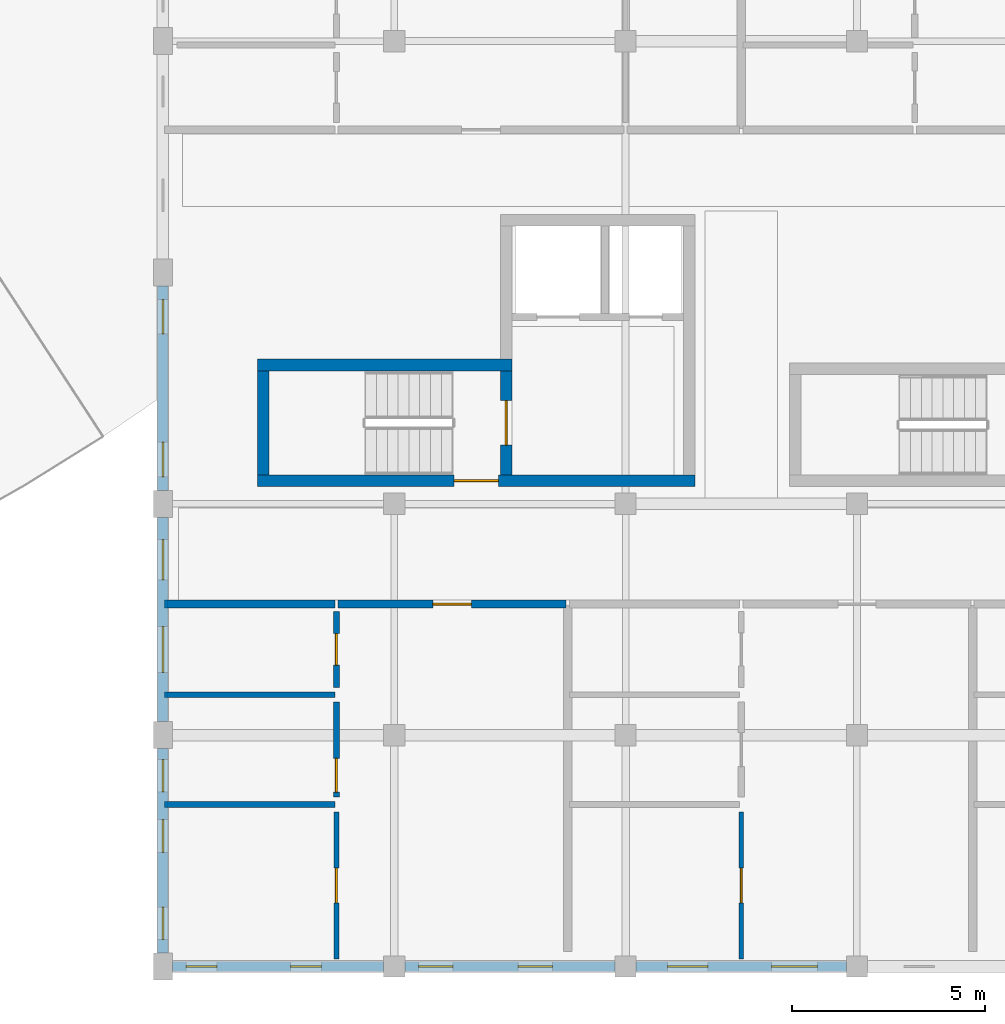
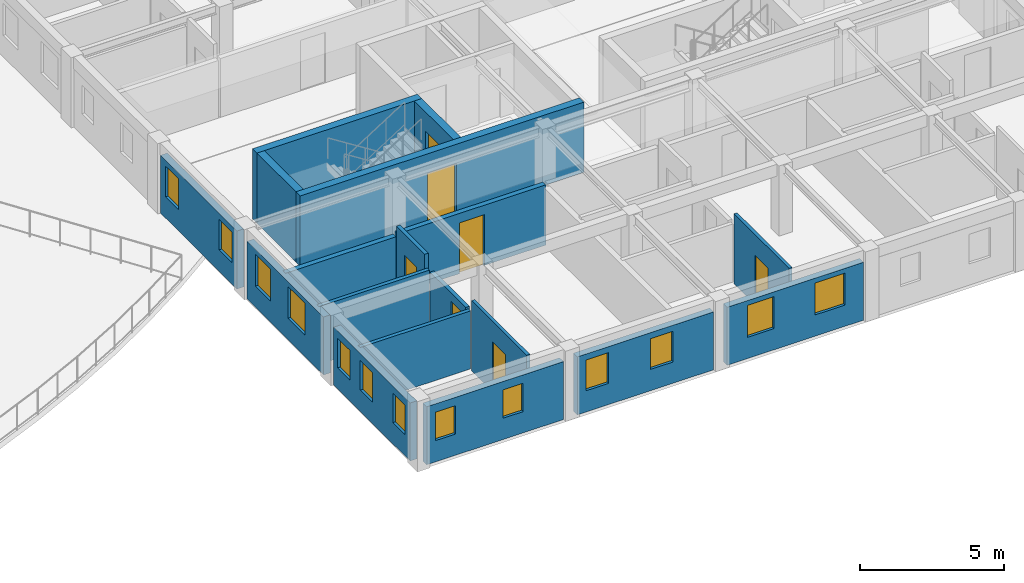
# One storey, part 30 of 58: 18 walls, 13 windows, 7 doors, 20 openings.
"""IFC4 building model written with IfcOpenShell, lengths in metres."""

from ifc_helpers import new_model, si_unit, direction, frame, frame_2d, origin, place, context, subcontext, project, spatial, rectangle, extrude, material, layer, layer_set, type_object, element, fill, save


model = new_model("IFC4")

# Units and contexts
model_context = context("Model", 3, precision=1e-05, world=origin(), true_north=direction((0.0, 1.0)))
body_context = subcontext(model_context, "Body", "Model", "MODEL_VIEW")
ifc_project = project(units=[si_unit("LENGTHUNIT", "METRE"), si_unit("AREAUNIT", "SQUARE_METRE"), si_unit("VOLUMEUNIT", "CUBIC_METRE"), si_unit("PLANEANGLEUNIT", "RADIAN"), si_unit("MASSUNIT", "GRAM", prefix="KILO"), si_unit("POWERUNIT", "WATT"), si_unit("THERMODYNAMICTEMPERATUREUNIT", "KELVIN")], contexts=[model_context])

# Site, building, storey
site_placement = place(None, origin())
site = spatial("IfcSite", under=ifc_project, at=site_placement, CompositionType="ELEMENT")
building_placement = place(site_placement, origin())
building = spatial("IfcBuilding", under=site, at=building_placement, Name="Ruvembo Vaulted Housing Court", CompositionType="ELEMENT")
storey_placement = place(building_placement, frame((0.0, 0.0, 20.5)))
storey = spatial("IfcBuildingStorey", under=building, at=storey_placement, Name="L06", CompositionType="ELEMENT", Elevation=20.5)

# Wall, opening, door
ifc_material_1 = material(Name="Concrete C35/45", Category="concrete")
ifc_layer_1 = layer(ifc_material_1, 0.300048828125, Name="Concrete C35/45")
ifc_layer_set_1 = layer_set([ifc_layer_1], Name="Concrete C35/45")
wall_type_1 = type_object("IfcWallType", Name="WL-CORE-300", PredefinedType="SHEAR", material=ifc_layer_set_1)
wall_1_placement = place(storey_placement, frame((104.449951171875, 12.60009765625, 0.0), z_axis=(0.0, 0.0, 1.0), x_axis=(1.0, 0.0, 0.0)))
wall_1 = element("IfcWall", 1, at=wall_1_placement, inside=storey, type_object=wall_type_1, Name="Core C1 L06 South Shear Wall", PredefinedType="SHEAR", context=body_context, shape_type="SweptSolid", body=[
    extrude(rectangle(XDim=11.35009765625, YDim=0.300048828125, at=frame_2d((5.675048828125, 0.0))), origin(), (0.0, 0.0, 1.0), 2.969970703125),
])
opening_1_placement = place(wall_1_placement, frame((5.10009765625, 0.0, 0.0)))
opening_1 = element("IfcOpeningElement", 2, at=opening_1_placement, cuts=wall_1, Name="Opening LD0", PredefinedType="OPENING", context=body_context, shape_type="SweptSolid", body=[
    extrude(rectangle(XDim=1.14990234375, YDim=2.14990234375, at=frame_2d((0.574951171875, 1.074951171875))), frame((0.0, 0.159912109375, 0.0), z_axis=(0.0, -1.0, 0.0), x_axis=(1.0, 0.0, 0.0)), (0.0, 0.0, 1.0), 0.320068359375),
])
ifc_material_2 = material(Name="Galvanised Painted Steel", Category="steel")
door_type_1 = type_object("IfcDoorType", Name="DR-LOB-1150x2150", OperationType="NOTDEFINED", PredefinedType="DOOR", material=ifc_material_2)
door_1_placement = place(opening_1_placement, origin())
door_1 = element("IfcDoor", 3, at=door_1_placement, inside=storey, type_object=door_type_1, Name="Core C1 L06 Lobby Fire Door", OperationType="SINGLE_SWING_RIGHT", OverallHeight=2.14990234375, OverallWidth=1.14990234375, PredefinedType="DOOR", context=body_context, shape_type="SweptSolid", body=[
    extrude(rectangle(XDim=1.14990234375, YDim=2.14990234375, at=frame_2d((0.574951171875, 1.074951171875))), frame((0.0, 0.02490234375, 0.0), z_axis=(0.0, -1.0, 0.0), x_axis=(1.0, 0.0, 0.0)), (0.0, 0.0, 1.0), 0.050048828125),
])
fill(opening_1, door_1)

# Walls
wall_2_placement = place(storey_placement, frame((111.050048828125, 15.60009765625, 0.0), z_axis=(0.0, 0.0, 1.0), x_axis=(-1.0, 0.0, 0.0)))
element("IfcWall", 4, at=wall_2_placement, inside=storey, type_object=wall_type_1, Name="Core C1 L06 Stair North Shear Wall", PredefinedType="SHEAR", context=body_context, shape_type="SweptSolid", body=[
    extrude(rectangle(XDim=6.60009765625, YDim=0.300048828125, at=frame_2d((3.300048828125, 0.0))), origin(), (0.0, 0.0, 1.0), 2.969970703125),
])
wall_3_placement = place(storey_placement, frame((104.60009765625, 15.449951171875, 0.0), z_axis=(0.0, 0.0, 1.0), x_axis=(0.0, -1.0, 0.0)))
element("IfcWall", 5, at=wall_3_placement, inside=storey, type_object=wall_type_1, Name="Core C1 L06 Stair West Shear Wall", PredefinedType="SHEAR", context=body_context, shape_type="SweptSolid", body=[
    extrude(rectangle(XDim=2.699951171875, YDim=0.300048828125, at=frame_2d((1.35009765625, 0.0))), origin(), (0.0, 0.0, 1.0), 2.969970703125),
])

# Wall, opening, door
wall_4_placement = place(storey_placement, frame((110.89990234375, 12.75, 0.0), z_axis=(0.0, 0.0, 1.0), x_axis=(0.0, 1.0, 0.0)))
wall_4 = element("IfcWall", 6, at=wall_4_placement, inside=storey, type_object=wall_type_1, Name="Core C1 L06 Stair-Lobby Shear Wall", PredefinedType="SHEAR", context=body_context, shape_type="SweptSolid", body=[
    extrude(rectangle(XDim=2.699951171875, YDim=0.300048828125, at=frame_2d((1.35009765625, 0.0))), origin(), (0.0, 0.0, 1.0), 2.969970703125),
])
opening_2_placement = place(wall_4_placement, frame((0.77490234375, 0.0, 0.0)))
opening_2 = element("IfcOpeningElement", 7, at=opening_2_placement, cuts=wall_4, Name="Opening SD1", PredefinedType="OPENING", context=body_context, shape_type="SweptSolid", body=[
    extrude(rectangle(XDim=1.14990234375, YDim=2.14990234375, at=frame_2d((0.574951171875, 1.074951171875))), frame((0.0, 0.159912109375, 0.0), z_axis=(0.0, -1.0, 0.0), x_axis=(1.0, 0.0, 0.0)), (0.0, 0.0, 1.0), 0.320068359375),
])
door_type_2 = type_object("IfcDoorType", Name="DR-STAIR-1150x2150", OperationType="NOTDEFINED", PredefinedType="DOOR", material=ifc_material_2)
door_2_placement = place(opening_2_placement, origin())
door_2 = element("IfcDoor", 8, at=door_2_placement, inside=storey, type_object=door_type_2, Name="Stair ST-C1 L06 Fire Door", OperationType="SINGLE_SWING_LEFT", OverallHeight=2.14990234375, OverallWidth=1.14990234375, PredefinedType="DOOR", context=body_context, shape_type="SweptSolid", body=[
    extrude(rectangle(XDim=1.14990234375, YDim=2.14990234375, at=frame_2d((0.574951171875, 1.074951171875))), frame((0.0, 0.02490234375, 0.0), z_axis=(0.0, -1.0, 0.0), x_axis=(1.0, 0.0, 0.0)), (0.0, 0.0, 1.0), 0.050048828125),
])
fill(opening_2, door_2)

# Wall
ifc_material_3 = material(Name="Concrete Blockwork 200", Category="masonry")
ifc_layer_2 = layer(ifc_material_3, 0.199951171875, Name="Concrete Blockwork 200")
ifc_layer_set_2 = layer_set([ifc_layer_2], Name="Concrete Blockwork 200")
wall_type_2 = type_object("IfcWallType", Name="WL-CORR-200", PredefinedType="SOLIDWALL", material=ifc_layer_set_2)
wall_5_placement = place(storey_placement, frame((102.0400390625, 9.39990234375, 0.0), z_axis=(0.0, 0.0, 1.0), x_axis=(1.0, 0.0, 0.0)))
element("IfcWall", 9, at=wall_5_placement, inside=storey, type_object=wall_type_2, Name="L06 Flat C-L06-S1 Corridor Wall WL-INT-L06-01779", PredefinedType="SOLIDWALL", context=body_context, shape_type="SweptSolid", body=[
    extrude(rectangle(XDim=4.419921875, YDim=0.199951171875, at=frame_2d((2.2099609375, 0.0))), origin(), (0.0, 0.0, 1.0), 2.451904296875),
])

# Wall, opening, door
wall_6_placement = place(storey_placement, frame((106.5400390625, 9.39990234375, 0.0), z_axis=(0.0, 0.0, 1.0), x_axis=(1.0, 0.0, 0.0)))
wall_6 = element("IfcWall", 10, at=wall_6_placement, inside=storey, type_object=wall_type_2, Name="L06 Flat C-L06-S1 Entrance WL-INT-L06-01780", PredefinedType="SOLIDWALL", context=body_context, shape_type="SweptSolid", body=[
    extrude(rectangle(XDim=5.919921875, YDim=0.199951171875, at=frame_2d((2.9599609375, 0.0))), origin(), (0.0, 0.0, 1.0), 2.548095703125),
])
opening_3_placement = place(wall_6_placement, frame((2.4599609375, 0.0, 0.0)))
opening_3 = element("IfcOpeningElement", 11, at=opening_3_placement, cuts=wall_6, Name="Opening FD1", PredefinedType="OPENING", context=body_context, shape_type="SweptSolid", body=[
    extrude(rectangle(XDim=1.0, YDim=2.14990234375, at=frame_2d((0.5, 1.074951171875))), frame((0.0, 0.10986328125, 0.0), z_axis=(0.0, -1.0, 0.0), x_axis=(1.0, 0.0, 0.0)), (0.0, 0.0, 1.0), 0.219970703125),
])
ifc_material_4 = material(Name="FSC Hardwood and Engineered Timber", Category="wood")
door_type_3 = type_object("IfcDoorType", Name="DR-FLAT-1000x2150", OperationType="NOTDEFINED", PredefinedType="DOOR", material=ifc_material_4)
door_3_placement = place(opening_3_placement, origin())
door_3 = element("IfcDoor", 12, at=door_3_placement, inside=storey, type_object=door_type_3, Name="L06 Flat C-L06-S1 Entrance Door DR-INT-L06-01005", OperationType="SINGLE_SWING_LEFT", OverallHeight=2.14990234375, OverallWidth=1.0, PredefinedType="DOOR", context=body_context, shape_type="SweptSolid", body=[
    extrude(rectangle(XDim=1.0, YDim=2.14990234375, at=frame_2d((0.5, 1.074951171875))), frame((0.0, 0.02490234375, 0.0), z_axis=(0.0, -1.0, 0.0), x_axis=(1.0, 0.0, 0.0)), (0.0, 0.0, 1.0), 0.050048828125),
])
fill(opening_3, door_3)

# Wall, openings, windows
ifc_material_5 = material(Name="Rendered Masonry 270", Category="masonry")
ifc_layer_3 = layer(ifc_material_5, 0.27001953125, Name="Rendered Masonry 270")
ifc_layer_set_3 = layer_set([ifc_layer_3], Name="Rendered Masonry 270")
wall_type_3 = type_object("IfcWallType", Name="WL-EXT-270", PredefinedType="STANDARD", material=ifc_layer_set_3)
wall_7_placement = place(storey_placement, frame((102.25, 0.0, 0.0), z_axis=(0.0, 0.0, 1.0), x_axis=(1.0, 0.0, 0.0)))
wall_7 = element("IfcWall", 13, at=wall_7_placement, inside=storey, type_object=wall_type_3, Name="Block C L06 Exterior Wall STREET #1", PredefinedType="STANDARD", context=body_context, shape_type="SweptSolid", body=[
    extrude(rectangle(XDim=5.47509765625, YDim=0.27001953125, at=frame_2d((2.737548828125, 0.0))), origin(), (0.0, 0.0, 1.0), 2.451904296875),
])
opening_4_placement = place(wall_7_placement, frame((0.35009765625, 0.0, 0.89990234375)))
opening_4 = element("IfcOpeningElement", 14, at=opening_4_placement, cuts=wall_7, Name="Opening W02", PredefinedType="OPENING", context=body_context, shape_type="SweptSolid", body=[
    extrude(rectangle(XDim=0.800048828125, YDim=1.199951171875, at=frame_2d((0.39990234375, 0.60009765625))), frame((0.0, 0.14501953125, 0.0), z_axis=(0.0, -1.0, 0.0), x_axis=(1.0, 0.0, 0.0)), (0.0, 0.0, 1.0), 0.2900390625),
])
opening_5_placement = place(wall_7_placement, frame((3.06005859375, 0.0, 0.89990234375)))
opening_5 = element("IfcOpeningElement", 15, at=opening_5_placement, cuts=wall_7, Name="Opening W02", PredefinedType="OPENING", context=body_context, shape_type="SweptSolid", body=[
    extrude(rectangle(XDim=0.800048828125, YDim=1.199951171875, at=frame_2d((0.39990234375, 0.60009765625))), frame((0.0, 0.14501953125, 0.0), z_axis=(0.0, -1.0, 0.0), x_axis=(1.0, 0.0, 0.0)), (0.0, 0.0, 1.0), 0.2900390625),
])
ifc_material_6 = material(Name="Double Solar-Control Glazing in Aluminium Frame", Category="aluminium")
window_type_1 = type_object("IfcWindowType", Name="WIN-0800x1200", PartitioningType="SINGLE_PANEL", PredefinedType="WINDOW", material=ifc_material_6)
window_1_placement = place(opening_4_placement, origin())
window_1 = element("IfcWindow", 16, at=window_1_placement, inside=storey, type_object=window_type_1, Name="Block C L06 Window #1326", OverallHeight=1.199951171875, OverallWidth=0.800048828125, PartitioningType="SINGLE_PANEL", PredefinedType="WINDOW", context=body_context, shape_type="SweptSolid", body=[
    extrude(rectangle(XDim=0.800048828125, YDim=1.199951171875, at=frame_2d((0.39990234375, 0.60009765625))), frame((0.0, 0.030029296875, 0.0), z_axis=(0.0, -1.0, 0.0), x_axis=(1.0, 0.0, 0.0)), (0.0, 0.0, 1.0), 0.06005859375),
])
fill(opening_4, window_1)
window_2_placement = place(opening_5_placement, origin())
window_2 = element("IfcWindow", 17, at=window_2_placement, inside=storey, type_object=window_type_1, Name="Block C L06 Window #1327", OverallHeight=1.199951171875, OverallWidth=0.800048828125, PartitioningType="SINGLE_PANEL", PredefinedType="WINDOW", context=body_context, shape_type="SweptSolid", body=[
    extrude(rectangle(XDim=0.800048828125, YDim=1.199951171875, at=frame_2d((0.39990234375, 0.60009765625))), frame((0.0, 0.030029296875, 0.0), z_axis=(0.0, -1.0, 0.0), x_axis=(1.0, 0.0, 0.0)), (0.0, 0.0, 1.0), 0.06005859375),
])
fill(opening_5, window_2)

wall_8_placement = place(storey_placement, frame((108.27490234375, 0.0, 0.0), z_axis=(0.0, 0.0, 1.0), x_axis=(1.0, 0.0, 0.0)))
wall_8 = element("IfcWall", 18, at=wall_8_placement, inside=storey, type_object=wall_type_3, Name="Block C L06 Exterior Wall STREET #2", PredefinedType="STANDARD", context=body_context, shape_type="SweptSolid", body=[
    extrude(rectangle(XDim=5.4501953125, YDim=0.27001953125, at=frame_2d((2.72509765625, 0.0))), origin(), (0.0, 0.0, 1.0), 2.451904296875),
])
opening_6_placement = place(wall_8_placement, frame((0.35009765625, 0.0, 0.89990234375)))
opening_6 = element("IfcOpeningElement", 19, at=opening_6_placement, cuts=wall_8, Name="Opening W04", PredefinedType="OPENING", context=body_context, shape_type="SweptSolid", body=[
    extrude(rectangle(XDim=0.89990234375, YDim=1.300048828125, at=frame_2d((0.449951171875, 0.64990234375))), frame((0.0, 0.14501953125, 0.0), z_axis=(0.0, -1.0, 0.0), x_axis=(1.0, 0.0, 0.0)), (0.0, 0.0, 1.0), 0.2900390625),
])
opening_7_placement = place(wall_8_placement, frame((2.93505859375, 0.0, 0.89990234375)))
opening_7 = element("IfcOpeningElement", 20, at=opening_7_placement, cuts=wall_8, Name="Opening W04", PredefinedType="OPENING", context=body_context, shape_type="SweptSolid", body=[
    extrude(rectangle(XDim=0.89990234375, YDim=1.300048828125, at=frame_2d((0.449951171875, 0.64990234375))), frame((0.0, 0.14501953125, 0.0), z_axis=(0.0, -1.0, 0.0), x_axis=(1.0, 0.0, 0.0)), (0.0, 0.0, 1.0), 0.2900390625),
])
window_type_2 = type_object("IfcWindowType", Name="WIN-0900x1300", PartitioningType="SINGLE_PANEL", PredefinedType="WINDOW", material=ifc_material_6)
window_3_placement = place(opening_6_placement, origin())
window_3 = element("IfcWindow", 21, at=window_3_placement, inside=storey, type_object=window_type_2, Name="Block C L06 Window #1328", OverallHeight=1.300048828125, OverallWidth=0.89990234375, PartitioningType="SINGLE_PANEL", PredefinedType="WINDOW", context=body_context, shape_type="SweptSolid", body=[
    extrude(rectangle(XDim=0.89990234375, YDim=1.300048828125, at=frame_2d((0.449951171875, 0.64990234375))), frame((0.0, 0.030029296875, 0.0), z_axis=(0.0, -1.0, 0.0), x_axis=(1.0, 0.0, 0.0)), (0.0, 0.0, 1.0), 0.06005859375),
])
fill(opening_6, window_3)
window_4_placement = place(opening_7_placement, origin())
window_4 = element("IfcWindow", 22, at=window_4_placement, inside=storey, type_object=window_type_2, Name="Block C L06 Window #1329", OverallHeight=1.300048828125, OverallWidth=0.89990234375, PartitioningType="SINGLE_PANEL", PredefinedType="WINDOW", context=body_context, shape_type="SweptSolid", body=[
    extrude(rectangle(XDim=0.89990234375, YDim=1.300048828125, at=frame_2d((0.449951171875, 0.64990234375))), frame((0.0, 0.030029296875, 0.0), z_axis=(0.0, -1.0, 0.0), x_axis=(1.0, 0.0, 0.0)), (0.0, 0.0, 1.0), 0.06005859375),
])
fill(opening_7, window_4)

wall_9_placement = place(storey_placement, frame((114.27490234375, 0.0, 0.0), z_axis=(0.0, 0.0, 1.0), x_axis=(1.0, 0.0, 0.0)))
wall_9 = element("IfcWall", 23, at=wall_9_placement, inside=storey, type_object=wall_type_3, Name="Block C L06 Exterior Wall STREET #3", PredefinedType="STANDARD", context=body_context, shape_type="SweptSolid", body=[
    extrude(rectangle(XDim=5.4501953125, YDim=0.27001953125, at=frame_2d((2.72509765625, 0.0))), origin(), (0.0, 0.0, 1.0), 2.451904296875),
])
opening_8_placement = place(wall_9_placement, frame((0.8173828125, 0.0, 0.89990234375)))
opening_8 = element("IfcOpeningElement", 24, at=opening_8_placement, cuts=wall_9, Name="Opening W09", PredefinedType="OPENING", context=body_context, shape_type="SweptSolid", body=[
    extrude(rectangle(XDim=1.050048828125, YDim=1.35009765625, at=frame_2d((0.52490234375, 0.675048828125))), frame((0.0, 0.14501953125, 0.0), z_axis=(0.0, -1.0, 0.0), x_axis=(1.0, 0.0, 0.0)), (0.0, 0.0, 1.0), 0.2900390625),
])
opening_9_placement = place(wall_9_placement, frame((3.507568359375, 0.0, 0.89990234375)))
opening_9 = element("IfcOpeningElement", 25, at=opening_9_placement, cuts=wall_9, Name="Opening W12", PredefinedType="OPENING", context=body_context, shape_type="SweptSolid", body=[
    extrude(rectangle(XDim=1.199951171875, YDim=1.35009765625, at=frame_2d((0.60009765625, 0.675048828125))), frame((0.0, 0.14501953125, 0.0), z_axis=(0.0, -1.0, 0.0), x_axis=(1.0, 0.0, 0.0)), (0.0, 0.0, 1.0), 0.2900390625),
])
window_type_3 = type_object("IfcWindowType", Name="WIN-1050x1350", PartitioningType="SINGLE_PANEL", PredefinedType="WINDOW", material=ifc_material_6)
window_5_placement = place(opening_8_placement, origin())
window_5 = element("IfcWindow", 26, at=window_5_placement, inside=storey, type_object=window_type_3, Name="Block C L06 Window #1330", OverallHeight=1.35009765625, OverallWidth=1.050048828125, PartitioningType="SINGLE_PANEL", PredefinedType="WINDOW", context=body_context, shape_type="SweptSolid", body=[
    extrude(rectangle(XDim=1.050048828125, YDim=1.35009765625, at=frame_2d((0.52490234375, 0.675048828125))), frame((0.0, 0.030029296875, 0.0), z_axis=(0.0, -1.0, 0.0), x_axis=(1.0, 0.0, 0.0)), (0.0, 0.0, 1.0), 0.06005859375),
])
fill(opening_8, window_5)
window_type_4 = type_object("IfcWindowType", Name="WIN-1200x1350", PartitioningType="SINGLE_PANEL", PredefinedType="WINDOW", material=ifc_material_6)
window_6_placement = place(opening_9_placement, origin())
window_6 = element("IfcWindow", 27, at=window_6_placement, inside=storey, type_object=window_type_4, Name="Block C L06 Window #1331", OverallHeight=1.35009765625, OverallWidth=1.199951171875, PartitioningType="SINGLE_PANEL", PredefinedType="WINDOW", context=body_context, shape_type="SweptSolid", body=[
    extrude(rectangle(XDim=1.199951171875, YDim=1.35009765625, at=frame_2d((0.60009765625, 0.675048828125))), frame((0.0, 0.030029296875, 0.0), z_axis=(0.0, -1.0, 0.0), x_axis=(1.0, 0.0, 0.0)), (0.0, 0.0, 1.0), 0.06005859375),
])
fill(opening_9, window_6)

wall_10_placement = place(storey_placement, frame((102.0, 17.64990234375, 0.0), z_axis=(0.0, 0.0, 1.0), x_axis=(0.0, -1.0, 0.0)))
wall_10 = element("IfcWall", 28, at=wall_10_placement, inside=storey, type_object=wall_type_3, Name="Block C L06 Exterior Wall WEST #3", PredefinedType="STANDARD", context=body_context, shape_type="SweptSolid", body=[
    extrude(rectangle(XDim=5.2998046875, YDim=0.27001953125, at=frame_2d((2.64990234375, 0.0))), origin(), (0.0, 0.0, 1.0), 2.451904296875),
])
opening_10_placement = place(wall_10_placement, frame((0.35009765625, 0.0, 0.89990234375)))
opening_10 = element("IfcOpeningElement", 29, at=opening_10_placement, cuts=wall_10, Name="Opening W04", PredefinedType="OPENING", context=body_context, shape_type="SweptSolid", body=[
    extrude(rectangle(XDim=0.89990234375, YDim=1.300048828125, at=frame_2d((0.449951171875, 0.64990234375))), frame((0.0, 0.14501953125, 0.0), z_axis=(0.0, -1.0, 0.0), x_axis=(1.0, 0.0, 0.0)), (0.0, 0.0, 1.0), 0.2900390625),
])
opening_11_placement = place(wall_10_placement, frame((4.050048828125, 0.0, 0.89990234375)))
opening_11 = element("IfcOpeningElement", 30, at=opening_11_placement, cuts=wall_10, Name="Opening W04", PredefinedType="OPENING", context=body_context, shape_type="SweptSolid", body=[
    extrude(rectangle(XDim=0.89990234375, YDim=1.300048828125, at=frame_2d((0.449951171875, 0.64990234375))), frame((0.0, 0.14501953125, 0.0), z_axis=(0.0, -1.0, 0.0), x_axis=(1.0, 0.0, 0.0)), (0.0, 0.0, 1.0), 0.2900390625),
])
window_7_placement = place(opening_10_placement, origin())
window_7 = element("IfcWindow", 31, at=window_7_placement, inside=storey, type_object=window_type_2, Name="Block C L06 Window #1358", OverallHeight=1.300048828125, OverallWidth=0.89990234375, PartitioningType="SINGLE_PANEL", PredefinedType="WINDOW", context=body_context, shape_type="SweptSolid", body=[
    extrude(rectangle(XDim=0.89990234375, YDim=1.300048828125, at=frame_2d((0.449951171875, 0.64990234375))), frame((0.0, 0.030029296875, 0.0), z_axis=(0.0, -1.0, 0.0), x_axis=(1.0, 0.0, 0.0)), (0.0, 0.0, 1.0), 0.06005859375),
])
fill(opening_10, window_7)
window_8_placement = place(opening_11_placement, origin())
window_8 = element("IfcWindow", 32, at=window_8_placement, inside=storey, type_object=window_type_2, Name="Block C L06 Window #1359", OverallHeight=1.300048828125, OverallWidth=0.89990234375, PartitioningType="SINGLE_PANEL", PredefinedType="WINDOW", context=body_context, shape_type="SweptSolid", body=[
    extrude(rectangle(XDim=0.89990234375, YDim=1.300048828125, at=frame_2d((0.449951171875, 0.64990234375))), frame((0.0, 0.030029296875, 0.0), z_axis=(0.0, -1.0, 0.0), x_axis=(1.0, 0.0, 0.0)), (0.0, 0.0, 1.0), 0.06005859375),
])
fill(opening_11, window_8)

wall_11_placement = place(storey_placement, frame((102.0, 11.64990234375, 0.0), z_axis=(0.0, 0.0, 1.0), x_axis=(0.0, -1.0, 0.0)))
wall_11 = element("IfcWall", 33, at=wall_11_placement, inside=storey, type_object=wall_type_3, Name="Block C L06 Exterior Wall WEST #4", PredefinedType="STANDARD", context=body_context, shape_type="SweptSolid", body=[
    extrude(rectangle(XDim=5.2998046875, YDim=0.27001953125, at=frame_2d((2.64990234375, 0.0))), origin(), (0.0, 0.0, 1.0), 2.451904296875),
])
opening_12_placement = place(wall_11_placement, frame((0.580078125, 0.0, 0.89990234375)))
opening_12 = element("IfcOpeningElement", 34, at=opening_12_placement, cuts=wall_11, Name="Opening W09", PredefinedType="OPENING", context=body_context, shape_type="SweptSolid", body=[
    extrude(rectangle(XDim=1.050048828125, YDim=1.35009765625, at=frame_2d((0.52490234375, 0.675048828125))), frame((0.0, 0.14501953125, 0.0), z_axis=(0.0, -1.0, 0.0), x_axis=(1.0, 0.0, 0.0)), (0.0, 0.0, 1.0), 0.2900390625),
])
opening_13_placement = place(wall_11_placement, frame((2.824951171875, 0.0, 0.89990234375)))
opening_13 = element("IfcOpeningElement", 35, at=opening_13_placement, cuts=wall_11, Name="Opening W12", PredefinedType="OPENING", context=body_context, shape_type="SweptSolid", body=[
    extrude(rectangle(XDim=1.199951171875, YDim=1.35009765625, at=frame_2d((0.60009765625, 0.675048828125))), frame((0.0, 0.14501953125, 0.0), z_axis=(0.0, -1.0, 0.0), x_axis=(1.0, 0.0, 0.0)), (0.0, 0.0, 1.0), 0.2900390625),
])
window_9_placement = place(opening_12_placement, origin())
window_9 = element("IfcWindow", 36, at=window_9_placement, inside=storey, type_object=window_type_3, Name="Block C L06 Window #1360", OverallHeight=1.35009765625, OverallWidth=1.050048828125, PartitioningType="SINGLE_PANEL", PredefinedType="WINDOW", context=body_context, shape_type="SweptSolid", body=[
    extrude(rectangle(XDim=1.050048828125, YDim=1.35009765625, at=frame_2d((0.52490234375, 0.675048828125))), frame((0.0, 0.030029296875, 0.0), z_axis=(0.0, -1.0, 0.0), x_axis=(1.0, 0.0, 0.0)), (0.0, 0.0, 1.0), 0.06005859375),
])
fill(opening_12, window_9)
window_10_placement = place(opening_13_placement, origin())
window_10 = element("IfcWindow", 37, at=window_10_placement, inside=storey, type_object=window_type_4, Name="Block C L06 Window #1361", OverallHeight=1.35009765625, OverallWidth=1.199951171875, PartitioningType="SINGLE_PANEL", PredefinedType="WINDOW", context=body_context, shape_type="SweptSolid", body=[
    extrude(rectangle(XDim=1.199951171875, YDim=1.35009765625, at=frame_2d((0.60009765625, 0.675048828125))), frame((0.0, 0.030029296875, 0.0), z_axis=(0.0, -1.0, 0.0), x_axis=(1.0, 0.0, 0.0)), (0.0, 0.0, 1.0), 0.06005859375),
])
fill(opening_13, window_10)

wall_12_placement = place(storey_placement, frame((102.0, 5.64990234375, 0.0), z_axis=(0.0, 0.0, 1.0), x_axis=(0.0, -1.0, 0.0)))
wall_12 = element("IfcWall", 38, at=wall_12_placement, inside=storey, type_object=wall_type_3, Name="Block C L06 Exterior Wall WEST #5", PredefinedType="STANDARD", context=body_context, shape_type="SweptSolid", body=[
    extrude(rectangle(XDim=5.2998046875, YDim=0.27001953125, at=frame_2d((2.64990234375, 0.0))), origin(), (0.0, 0.0, 1.0), 2.451904296875),
])
opening_14_placement = place(wall_12_placement, frame((0.280029296875, 0.0, 0.89990234375)))
opening_14 = element("IfcOpeningElement", 39, at=opening_14_placement, cuts=wall_12, Name="Opening W03", PredefinedType="OPENING", context=body_context, shape_type="SweptSolid", body=[
    extrude(rectangle(XDim=0.85009765625, YDim=1.25, at=frame_2d((0.425048828125, 0.625))), frame((0.0, 0.14501953125, 0.0), z_axis=(0.0, -1.0, 0.0), x_axis=(1.0, 0.0, 0.0)), (0.0, 0.0, 1.0), 0.2900390625),
])
opening_15_placement = place(wall_12_placement, frame((1.840087890625, 0.0, 0.89990234375)))
opening_15 = element("IfcOpeningElement", 40, at=opening_15_placement, cuts=wall_12, Name="Opening W03", PredefinedType="OPENING", context=body_context, shape_type="SweptSolid", body=[
    extrude(rectangle(XDim=0.85009765625, YDim=1.25, at=frame_2d((0.425048828125, 0.625))), frame((0.0, 0.14501953125, 0.0), z_axis=(0.0, -1.0, 0.0), x_axis=(1.0, 0.0, 0.0)), (0.0, 0.0, 1.0), 0.2900390625),
])
opening_16_placement = place(wall_12_placement, frame((4.10009765625, 0.0, 0.89990234375)))
opening_16 = element("IfcOpeningElement", 41, at=opening_16_placement, cuts=wall_12, Name="Opening W03", PredefinedType="OPENING", context=body_context, shape_type="SweptSolid", body=[
    extrude(rectangle(XDim=0.85009765625, YDim=1.25, at=frame_2d((0.425048828125, 0.625))), frame((0.0, 0.14501953125, 0.0), z_axis=(0.0, -1.0, 0.0), x_axis=(1.0, 0.0, 0.0)), (0.0, 0.0, 1.0), 0.2900390625),
])
window_type_5 = type_object("IfcWindowType", Name="WIN-0850x1250", PartitioningType="SINGLE_PANEL", PredefinedType="WINDOW", material=ifc_material_6)
window_11_placement = place(opening_14_placement, origin())
window_11 = element("IfcWindow", 42, at=window_11_placement, inside=storey, type_object=window_type_5, Name="Block C L06 Window #1362", OverallHeight=1.25, OverallWidth=0.85009765625, PartitioningType="SINGLE_PANEL", PredefinedType="WINDOW", context=body_context, shape_type="SweptSolid", body=[
    extrude(rectangle(XDim=0.85009765625, YDim=1.25, at=frame_2d((0.425048828125, 0.625))), frame((0.0, 0.030029296875, 0.0), z_axis=(0.0, -1.0, 0.0), x_axis=(1.0, 0.0, 0.0)), (0.0, 0.0, 1.0), 0.06005859375),
])
fill(opening_14, window_11)
window_12_placement = place(opening_15_placement, origin())
window_12 = element("IfcWindow", 43, at=window_12_placement, inside=storey, type_object=window_type_5, Name="Block C L06 Window #1363", OverallHeight=1.25, OverallWidth=0.85009765625, PartitioningType="SINGLE_PANEL", PredefinedType="WINDOW", context=body_context, shape_type="SweptSolid", body=[
    extrude(rectangle(XDim=0.85009765625, YDim=1.25, at=frame_2d((0.425048828125, 0.625))), frame((0.0, 0.030029296875, 0.0), z_axis=(0.0, -1.0, 0.0), x_axis=(1.0, 0.0, 0.0)), (0.0, 0.0, 1.0), 0.06005859375),
])
fill(opening_15, window_12)
window_13_placement = place(opening_16_placement, origin())
window_13 = element("IfcWindow", 44, at=window_13_placement, inside=storey, type_object=window_type_5, Name="Block C L06 Window #1364", OverallHeight=1.25, OverallWidth=0.85009765625, PartitioningType="SINGLE_PANEL", PredefinedType="WINDOW", context=body_context, shape_type="SweptSolid", body=[
    extrude(rectangle(XDim=0.85009765625, YDim=1.25, at=frame_2d((0.425048828125, 0.625))), frame((0.0, 0.030029296875, 0.0), z_axis=(0.0, -1.0, 0.0), x_axis=(1.0, 0.0, 0.0)), (0.0, 0.0, 1.0), 0.06005859375),
])
fill(opening_16, window_13)

# Wall, opening, door
ifc_material_7 = material(Name="Plasterboard Stud Partition 125", Category="gypsum")
ifc_layer_4 = layer(ifc_material_7, 0.125, Name="Plasterboard Stud Partition 125")
ifc_layer_set_4 = layer_set([ifc_layer_4], Name="Plasterboard Stud Partition 125")
wall_type_4 = type_object("IfcWallType", Name="WL-PART-125", PredefinedType="PARTITIONING", material=ifc_layer_set_4)
wall_13_placement = place(storey_placement, frame((106.5, 0.18994140625, 0.0), z_axis=(0.0, 0.0, 1.0), x_axis=(0.0, 1.0, 0.0)))
wall_13 = element("IfcWall", 45, at=wall_13_placement, inside=storey, type_object=wall_type_4, Name="L06 Flat C-L06-S1 Bedroom 1 WL-INT-L06-01781", PredefinedType="PARTITIONING", context=body_context, shape_type="SweptSolid", body=[
    extrude(rectangle(XDim=3.820068359375, YDim=0.125, at=frame_2d((1.91015625, 0.0))), origin(), (0.0, 0.0, 1.0), 2.969970703125),
])
opening_17_placement = place(wall_13_placement, frame((1.4599609375, 0.0, 0.0)))
opening_17 = element("IfcOpeningElement", 46, at=opening_17_placement, cuts=wall_13, Name="Opening ID1", PredefinedType="OPENING", context=body_context, shape_type="SweptSolid", body=[
    extrude(rectangle(XDim=0.89990234375, YDim=2.10009765625, at=frame_2d((0.449951171875, 1.050048828125))), frame((0.0, 0.072509765625, 0.0), z_axis=(0.0, -1.0, 0.0), x_axis=(1.0, 0.0, 0.0)), (0.0, 0.0, 1.0), 0.14501953125),
])
door_type_4 = type_object("IfcDoorType", Name="DR-ROOM-0900x2100", OperationType="NOTDEFINED", PredefinedType="DOOR", material=ifc_material_4)
door_4_placement = place(opening_17_placement, origin())
door_4 = element("IfcDoor", 47, at=door_4_placement, inside=storey, type_object=door_type_4, Name="L06 Flat C-L06-S1 Bedroom 1 Door DR-INT-L06-01006", OperationType="SINGLE_SWING_RIGHT", OverallHeight=2.10009765625, OverallWidth=0.89990234375, PredefinedType="DOOR", context=body_context, shape_type="SweptSolid", body=[
    extrude(rectangle(XDim=0.89990234375, YDim=2.10009765625, at=frame_2d((0.449951171875, 1.050048828125))), frame((0.0, 0.02490234375, 0.0), z_axis=(0.0, -1.0, 0.0), x_axis=(1.0, 0.0, 0.0)), (0.0, 0.0, 1.0), 0.050048828125),
])
fill(opening_17, door_4)

wall_14_placement = place(storey_placement, frame((117.0, 0.18994140625, 0.0), z_axis=(0.0, 0.0, 1.0), x_axis=(0.0, 1.0, 0.0)))
wall_14 = element("IfcWall", 48, at=wall_14_placement, inside=storey, type_object=wall_type_4, Name="L06 Flat C-L06-S2 Bedroom 1 WL-INT-L06-01789", PredefinedType="PARTITIONING", context=body_context, shape_type="SweptSolid", body=[
    extrude(rectangle(XDim=3.820068359375, YDim=0.125, at=frame_2d((1.91015625, 0.0))), origin(), (0.0, 0.0, 1.0), 2.969970703125),
])
opening_18_placement = place(wall_14_placement, frame((1.4599609375, 0.0, 0.0)))
opening_18 = element("IfcOpeningElement", 49, at=opening_18_placement, cuts=wall_14, Name="Opening ID1", PredefinedType="OPENING", context=body_context, shape_type="SweptSolid", body=[
    extrude(rectangle(XDim=0.89990234375, YDim=2.10009765625, at=frame_2d((0.449951171875, 1.050048828125))), frame((0.0, 0.072509765625, 0.0), z_axis=(0.0, -1.0, 0.0), x_axis=(1.0, 0.0, 0.0)), (0.0, 0.0, 1.0), 0.14501953125),
])
door_5_placement = place(opening_18_placement, origin())
door_5 = element("IfcDoor", 50, at=door_5_placement, inside=storey, type_object=door_type_4, Name="L06 Flat C-L06-S2 Bedroom 1 Door DR-INT-L06-01010", OperationType="SINGLE_SWING_RIGHT", OverallHeight=2.10009765625, OverallWidth=0.89990234375, PredefinedType="DOOR", context=body_context, shape_type="SweptSolid", body=[
    extrude(rectangle(XDim=0.89990234375, YDim=2.10009765625, at=frame_2d((0.449951171875, 1.050048828125))), frame((0.0, 0.02490234375, 0.0), z_axis=(0.0, -1.0, 0.0), x_axis=(1.0, 0.0, 0.0)), (0.0, 0.0, 1.0), 0.050048828125),
])
fill(opening_18, door_5)

ifc_material_8 = material(Name="Moisture-Resistant Wet Partition 150", Category="gypsum")
ifc_layer_5 = layer(ifc_material_8, 0.14990234375, Name="Moisture-Resistant Wet Partition 150")
ifc_layer_set_5 = layer_set([ifc_layer_5], Name="Moisture-Resistant Wet Partition 150")
wall_type_5 = type_object("IfcWallType", Name="WL-PART-150", PredefinedType="PARTITIONING", material=ifc_layer_set_5)
wall_15_placement = place(storey_placement, frame((106.5, 7.239990234375, 0.0), z_axis=(0.0, 0.0, 1.0), x_axis=(0.0, 1.0, 0.0)))
wall_15 = element("IfcWall", 51, at=wall_15_placement, inside=storey, type_object=wall_type_5, Name="L06 Flat C-L06-S1 Bathroom WL-INT-L06-01783", PredefinedType="PARTITIONING", context=body_context, shape_type="SweptSolid", body=[
    extrude(rectangle(XDim=1.969970703125, YDim=0.14990234375, at=frame_2d((0.98486328125, 0.0))), origin(), (0.0, 0.0, 1.0), 2.969970703125),
])
opening_19_placement = place(wall_15_placement, frame((0.574951171875, 0.0, 0.0)))
opening_19 = element("IfcOpeningElement", 52, at=opening_19_placement, cuts=wall_15, Name="Opening ID4", PredefinedType="OPENING", context=body_context, shape_type="SweptSolid", body=[
    extrude(rectangle(XDim=0.820068359375, YDim=2.080078125, at=frame_2d((0.41015625, 1.0400390625))), frame((0.0, 0.0849609375, 0.0), z_axis=(0.0, -1.0, 0.0), x_axis=(1.0, 0.0, 0.0)), (0.0, 0.0, 1.0), 0.169921875),
])
door_type_5 = type_object("IfcDoorType", Name="DR-WET-0820x2080", OperationType="NOTDEFINED", PredefinedType="DOOR", material=ifc_material_4)
door_6_placement = place(opening_19_placement, origin())
door_6 = element("IfcDoor", 53, at=door_6_placement, inside=storey, type_object=door_type_5, Name="L06 Flat C-L06-S1 Bathroom Door DR-INT-L06-01008", OperationType="SINGLE_SWING_RIGHT", OverallHeight=2.080078125, OverallWidth=0.820068359375, PredefinedType="DOOR", context=body_context, shape_type="SweptSolid", body=[
    extrude(rectangle(XDim=0.820068359375, YDim=2.080078125, at=frame_2d((0.41015625, 1.0400390625))), frame((0.0, 0.02490234375, 0.0), z_axis=(0.0, -1.0, 0.0), x_axis=(1.0, 0.0, 0.0)), (0.0, 0.0, 1.0), 0.050048828125),
])
fill(opening_19, door_6)

# Walls
for number, where, z_axis, x_axis, name in (
    (54, (102.0400390625, 4.199951171875, 0.0), (0.0, 0.0, 1.0), (1.0, 0.0, 0.0), "L06 Flat C-L06-S1 Wet Wall 1 WL-INT-L06-01784"),
    (55, (102.0400390625, 7.050048828125, 0.0), (0.0, 0.0, 1.0), (1.0, 0.0, 0.0), "L06 Flat C-L06-S1 Wet Wall 2 WL-INT-L06-01785"),
):
    element("IfcWall", number, at=place(storey_placement, frame(where, z_axis=z_axis, x_axis=x_axis)), inside=storey, type_object=wall_type_5, Name=name, PredefinedType="PARTITIONING", context=body_context, shape_type="SweptSolid", body=[
        extrude(rectangle(XDim=4.419921875, YDim=0.14990234375, at=frame_2d((2.2099609375, 0.0))), origin(), (0.0, 0.0, 1.0), 2.451904296875),
    ])

# Wall, opening, door
ifc_material_9 = material(Name="Acoustic Service Chase Wall 160", Category="gypsum")
ifc_layer_6 = layer(ifc_material_9, 0.159912109375, Name="Acoustic Service Chase Wall 160")
ifc_layer_set_6 = layer_set([ifc_layer_6], Name="Acoustic Service Chase Wall 160")
wall_type_6 = type_object("IfcWallType", Name="WL-PLUMB-160", PredefinedType="PLUMBINGWALL", material=ifc_layer_set_6)
wall_16_placement = place(storey_placement, frame((106.5, 4.389892578125, 0.0), z_axis=(0.0, 0.0, 1.0), x_axis=(0.0, 1.0, 0.0)))
wall_16 = element("IfcWall", 56, at=wall_16_placement, inside=storey, type_object=wall_type_6, Name="L06 Flat C-L06-S1 Kitchen WL-INT-L06-01782", PredefinedType="PLUMBINGWALL", context=body_context, shape_type="SweptSolid", body=[
    extrude(rectangle(XDim=2.47021484375, YDim=0.159912109375, at=frame_2d((1.235107421875, 0.0))), origin(), (0.0, 0.0, 1.0), 2.451904296875),
])
opening_20_placement = place(wall_16_placement, frame((0.1298828125, 0.0, 0.0)))
opening_20 = element("IfcOpeningElement", 57, at=opening_20_placement, cuts=wall_16, Name="Opening ID3", PredefinedType="OPENING", context=body_context, shape_type="SweptSolid", body=[
    extrude(rectangle(XDim=0.8798828125, YDim=2.10009765625, at=frame_2d((0.43994140625, 1.050048828125))), frame((0.0, 0.08984375, 0.0), z_axis=(0.0, -1.0, 0.0), x_axis=(1.0, 0.0, 0.0)), (0.0, 0.0, 1.0), 0.179931640625),
])
door_type_6 = type_object("IfcDoorType", Name="DR-ROOM-0880x2100", OperationType="NOTDEFINED", PredefinedType="DOOR", material=ifc_material_4)
door_7_placement = place(opening_20_placement, origin())
door_7 = element("IfcDoor", 58, at=door_7_placement, inside=storey, type_object=door_type_6, Name="L06 Flat C-L06-S1 Kitchen Door DR-INT-L06-01007", OperationType="SINGLE_SWING_LEFT", OverallHeight=2.10009765625, OverallWidth=0.8798828125, PredefinedType="DOOR", context=body_context, shape_type="SweptSolid", body=[
    extrude(rectangle(XDim=0.8798828125, YDim=2.10009765625, at=frame_2d((0.43994140625, 1.050048828125))), frame((0.0, 0.02490234375, 0.0), z_axis=(0.0, -1.0, 0.0), x_axis=(1.0, 0.0, 0.0)), (0.0, 0.0, 1.0), 0.050048828125),
])
fill(opening_20, door_7)

save(model, "model.ifc")
